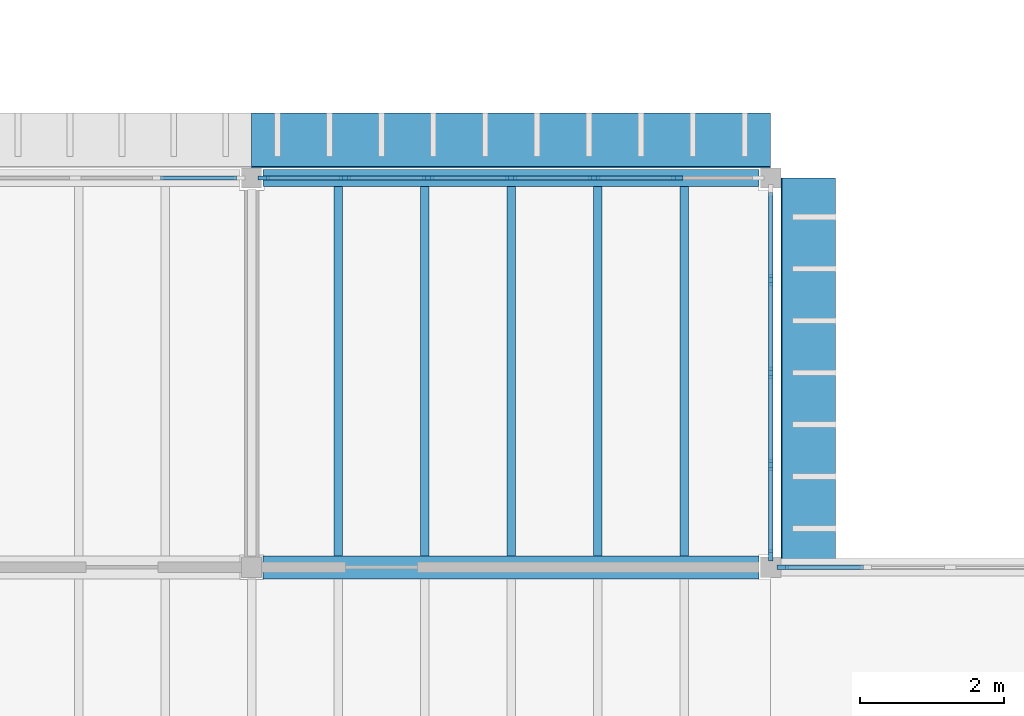
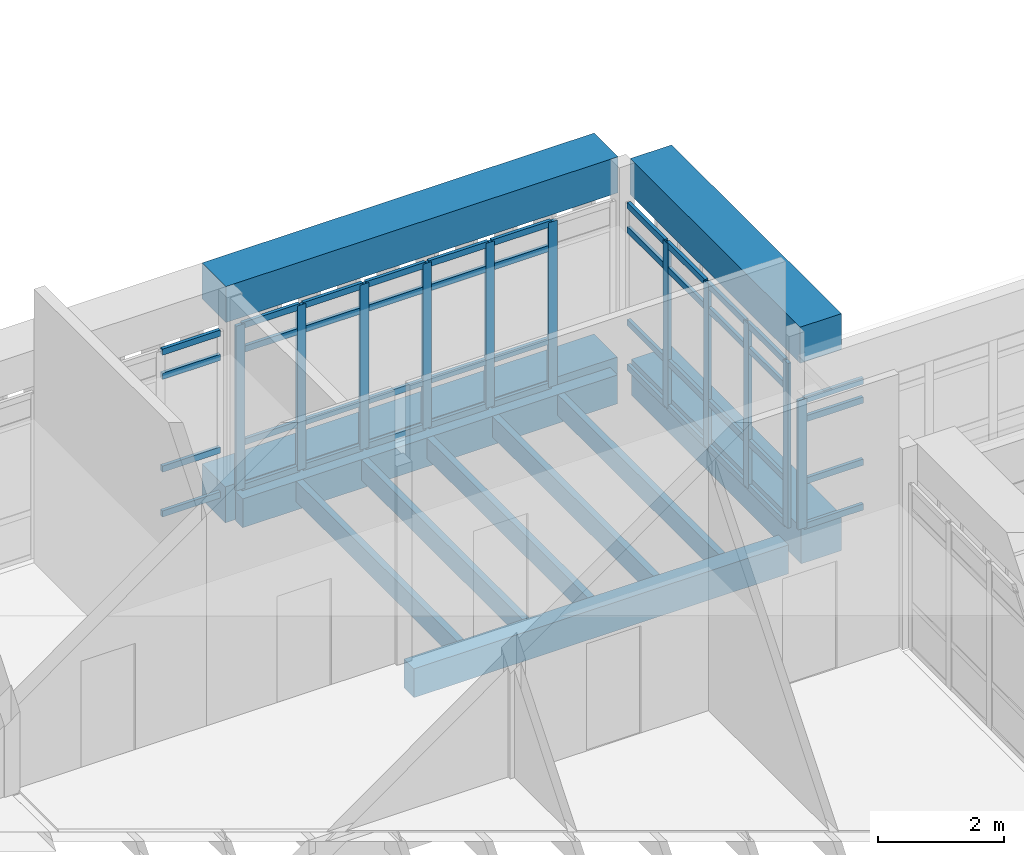
# One storey, part 9 of 51: 59 members, 7 beams, 4 elements without a shape of their own.
"""IFC4 building model written with IfcOpenShell, lengths in metres."""

from ifc_helpers import new_model, si_unit, direction, frame, origin, origin_2d, place, context, subcontext, project, spatial, rectangle, extrude, material, layer, layer_set, material_profile, profile_set, type_object, element, aggregate, save


model = new_model("IFC4")

# Units and contexts
model_context = context("Model", 3, precision=1e-05, world=origin(), true_north=direction((0.0, 1.0)))
body_context = subcontext(model_context, "Body", "Model", "MODEL_VIEW")
ifc_project = project(units=[si_unit("LENGTHUNIT", "METRE"), si_unit("AREAUNIT", "SQUARE_METRE"), si_unit("VOLUMEUNIT", "CUBIC_METRE"), si_unit("PLANEANGLEUNIT", "RADIAN"), si_unit("MASSUNIT", "GRAM", prefix="KILO")], contexts=[model_context])

# Site, building, storey
site_placement = place(None, origin())
site = spatial("IfcSite", under=ifc_project, at=site_placement, CompositionType="ELEMENT")
building_placement = place(site_placement, origin())
building = spatial("IfcBuilding", under=site, at=building_placement, Name="Mazhai Court Health Centre", CompositionType="ELEMENT")
storey_placement = place(building_placement, frame((0.0, 0.0, 14.10009765625)))
storey = spatial("IfcBuildingStorey", under=building, at=storey_placement, Name="L03", CompositionType="ELEMENT", Elevation=14.10009765625)

# Curtain wall, members
ifc_material_1 = material(Name="Teak timber frame, glazed", Category="wood")
ifc_layer = layer(ifc_material_1, 0.10009765625)
ifc_layer_set = layer_set([ifc_layer], Name="CURTAIN WALL TIMBER 1200")
curtain_wall_type = type_object("IfcCurtainWallType", Name="CURTAIN WALL TIMBER 1200", PredefinedType="NOTDEFINED", material=ifc_layer_set)
curtain_wall_1_placement = place(storey_placement, origin())
curtain_wall_1 = element("IfcCurtainWall", 1, at=curtain_wall_1_placement, inside=storey, type_object=curtain_wall_type, Name="CW-V4-L03-B2", PredefinedType="NOTDEFINED")
ifc_material_2 = material(Name="Teak timber", Category="wood")
ifc_material_profile_1 = material_profile(ifc_material_2, rectangle(XDim=0.06005859375, YDim=0.159912109375, at=origin_2d()), Name="CW MULLION 60x160")
ifc_profile_set_1 = profile_set([ifc_material_profile_1], Name="Teak timber")
member_type_1 = type_object("IfcMemberType", Name="CW MULLION 60x160", PredefinedType="MULLION", material=ifc_profile_set_1)
member_1_placement = place(storey_placement, frame((85.570068359375, 27.800048828125, 0.0), z_axis=(0.0, 0.0, 1.0), x_axis=(0.0, 1.0, 0.0)))
member_1 = element("IfcMember", 2, at=member_1_placement, type_object=member_type_1, Name="CW mullion 1", PredefinedType="MULLION", context=body_context, shape_type="SweptSolid", body=[
    extrude(rectangle(XDim=0.06005859375, YDim=0.159912109375, at=origin_2d()), origin(), (0.0, 0.0, 1.0), 3.199951171875),
])
member_2_placement = place(storey_placement, frame((86.693359375, 27.800048828125, 0.0), z_axis=(0.0, 0.0, 1.0), x_axis=(0.0, 1.0, 0.0)))
member_2 = element("IfcMember", 3, at=member_2_placement, type_object=member_type_1, Name="CW mullion 2", PredefinedType="MULLION", context=body_context, shape_type="SweptSolid", body=[
    extrude(rectangle(XDim=0.06005859375, YDim=0.159912109375, at=origin_2d()), origin(), (0.0, 0.0, 1.0), 3.199951171875),
])
member_3_placement = place(storey_placement, frame((87.8466796875, 27.800048828125, 0.0), z_axis=(0.0, 0.0, 1.0), x_axis=(0.0, 1.0, 0.0)))
member_3 = element("IfcMember", 4, at=member_3_placement, type_object=member_type_1, Name="CW mullion 3", PredefinedType="MULLION", context=body_context, shape_type="SweptSolid", body=[
    extrude(rectangle(XDim=0.06005859375, YDim=0.159912109375, at=origin_2d()), origin(), (0.0, 0.0, 1.0), 3.199951171875),
])
member_4_placement = place(storey_placement, frame((89.0, 27.800048828125, 0.0), z_axis=(0.0, 0.0, 1.0), x_axis=(0.0, 1.0, 0.0)))
member_4 = element("IfcMember", 5, at=member_4_placement, type_object=member_type_1, Name="CW mullion 4", PredefinedType="MULLION", context=body_context, shape_type="SweptSolid", body=[
    extrude(rectangle(XDim=0.06005859375, YDim=0.159912109375, at=origin_2d()), origin(), (0.0, 0.0, 1.0), 3.199951171875),
])
member_5_placement = place(storey_placement, frame((90.1533203125, 27.800048828125, 0.0), z_axis=(0.0, 0.0, 1.0), x_axis=(0.0, 1.0, 0.0)))
member_5 = element("IfcMember", 6, at=member_5_placement, type_object=member_type_1, Name="CW mullion 5", PredefinedType="MULLION", context=body_context, shape_type="SweptSolid", body=[
    extrude(rectangle(XDim=0.06005859375, YDim=0.159912109375, at=origin_2d()), origin(), (0.0, 0.0, 1.0), 3.199951171875),
])
member_6_placement = place(storey_placement, frame((91.306640625, 27.800048828125, 0.0), z_axis=(0.0, 0.0, 1.0), x_axis=(0.0, 1.0, 0.0)))
member_6 = element("IfcMember", 7, at=member_6_placement, type_object=member_type_1, Name="CW mullion 6", PredefinedType="MULLION", context=body_context, shape_type="SweptSolid", body=[
    extrude(rectangle(XDim=0.06005859375, YDim=0.159912109375, at=origin_2d()), origin(), (0.0, 0.0, 1.0), 3.199951171875),
])

curtain_wall_2_placement = place(storey_placement, origin())
curtain_wall_2 = element("IfcCurtainWall", 8, at=curtain_wall_2_placement, inside=storey, type_object=curtain_wall_type, Name="CW-V4-L03-CE2-1", PredefinedType="NOTDEFINED")
member_7_placement = place(storey_placement, frame((92.60009765625, 26.3798828125, 0.0), z_axis=(0.0, 0.0, 1.0), x_axis=(1.0, 0.0, 0.0)))
member_7 = element("IfcMember", 9, at=member_7_placement, type_object=member_type_1, Name="CW mullion 2", PredefinedType="MULLION", context=body_context, shape_type="SweptSolid", body=[
    extrude(rectangle(XDim=0.06005859375, YDim=0.159912109375, at=origin_2d()), origin(), (0.0, 0.0, 1.0), 3.199951171875),
])
member_8_placement = place(storey_placement, frame((92.60009765625, 25.10009765625, 0.0), z_axis=(0.0, 0.0, 1.0), x_axis=(1.0, 0.0, 0.0)))
member_8 = element("IfcMember", 10, at=member_8_placement, type_object=member_type_1, Name="CW mullion 3", PredefinedType="MULLION", context=body_context, shape_type="SweptSolid", body=[
    extrude(rectangle(XDim=0.06005859375, YDim=0.159912109375, at=origin_2d()), origin(), (0.0, 0.0, 1.0), 3.199951171875),
])
member_9_placement = place(storey_placement, frame((92.60009765625, 23.820068359375, 0.0), z_axis=(0.0, 0.0, 1.0), x_axis=(1.0, 0.0, 0.0)))
member_9 = element("IfcMember", 11, at=member_9_placement, type_object=member_type_1, Name="CW mullion 4", PredefinedType="MULLION", context=body_context, shape_type="SweptSolid", body=[
    extrude(rectangle(XDim=0.06005859375, YDim=0.159912109375, at=origin_2d()), origin(), (0.0, 0.0, 1.0), 3.199951171875),
])
member_10_placement = place(storey_placement, frame((92.60009765625, 22.570068359375, 0.0), z_axis=(0.0, 0.0, 1.0), x_axis=(1.0, 0.0, 0.0)))
member_10 = element("IfcMember", 12, at=member_10_placement, type_object=member_type_1, Name="CW mullion 5", PredefinedType="MULLION", context=body_context, shape_type="SweptSolid", body=[
    extrude(rectangle(XDim=0.06005859375, YDim=0.159912109375, at=origin_2d()), origin(), (0.0, 0.0, 1.0), 3.199951171875),
])

# Curtain wall, member
curtain_wall_3_placement = place(storey_placement, origin())
curtain_wall_3 = element("IfcCurtainWall", 13, at=curtain_wall_3_placement, inside=storey, type_object=curtain_wall_type, Name="CW-BR-LC3-N", PredefinedType="NOTDEFINED")
member_11_placement = place(storey_placement, frame((92.77001953125, 22.39990234375, 0.0), z_axis=(0.0, 0.0, 1.0), x_axis=(0.0, 1.0, 0.0)))
member_11 = element("IfcMember", 14, at=member_11_placement, type_object=member_type_1, Name="CW mullion 1", PredefinedType="MULLION", context=body_context, shape_type="SweptSolid", body=[
    extrude(rectangle(XDim=0.06005859375, YDim=0.159912109375, at=origin_2d()), origin(), (0.0, 0.0, 1.0), 2.5048828125),
])

# Curtain wall, members
curtain_wall_4_placement = place(storey_placement, origin())
curtain_wall_4 = element("IfcCurtainWall", 15, at=curtain_wall_4_placement, inside=storey, type_object=curtain_wall_type, Name="CW-V4-L03-B1", PredefinedType="NOTDEFINED")
ifc_material_3 = material(Name="Teak timber", Category="wood")
ifc_material_profile_2 = material_profile(ifc_material_3, rectangle(XDim=0.06005859375, YDim=0.1201171875, at=origin_2d()), Name="CW TRANSOM 60x120")
ifc_profile_set_2 = profile_set([ifc_material_profile_2], Name="Teak timber")
member_type_2 = type_object("IfcMemberType", Name="CW TRANSOM 60x120", PredefinedType="USERDEFINED", material=ifc_profile_set_2)
member_12_placement = place(storey_placement, frame((84.13671875, 27.800048828125, 0.02978515625), z_axis=(1.0, 0.0, 0.0), x_axis=(0.0, 1.0, 0.0)))
member_12 = element("IfcMember", 16, at=member_12_placement, type_object=member_type_2, Name="CW transom 6.1", ObjectType="TRANSOM", PredefinedType="USERDEFINED", context=body_context, shape_type="SweptSolid", body=[
    extrude(rectangle(XDim=0.06005859375, YDim=0.1201171875, at=origin_2d()), origin(), (0.0, 0.0, 1.0), 1.063232421875),
])
member_13_placement = place(storey_placement, frame((84.13671875, 27.800048828125, 0.89990234375), z_axis=(1.0, 0.0, 0.0), x_axis=(0.0, 1.0, 0.0)))
member_13 = element("IfcMember", 17, at=member_13_placement, type_object=member_type_2, Name="CW transom 6.2", ObjectType="TRANSOM", PredefinedType="USERDEFINED", context=body_context, shape_type="SweptSolid", body=[
    extrude(rectangle(XDim=0.06005859375, YDim=0.1201171875, at=origin_2d()), origin(), (0.0, 0.0, 1.0), 1.063232421875),
])
member_14_placement = place(storey_placement, frame((84.13671875, 27.800048828125, 2.699951171875), z_axis=(1.0, 0.0, 0.0), x_axis=(0.0, 1.0, 0.0)))
member_14 = element("IfcMember", 18, at=member_14_placement, type_object=member_type_2, Name="CW transom 6.3", ObjectType="TRANSOM", PredefinedType="USERDEFINED", context=body_context, shape_type="SweptSolid", body=[
    extrude(rectangle(XDim=0.06005859375, YDim=0.1201171875, at=origin_2d()), origin(), (0.0, 0.0, 1.0), 1.063232421875),
])
member_15_placement = place(storey_placement, frame((84.13671875, 27.800048828125, 3.169921875), z_axis=(1.0, 0.0, 0.0), x_axis=(0.0, 1.0, 0.0)))
member_15 = element("IfcMember", 19, at=member_15_placement, type_object=member_type_2, Name="CW transom 6.4", ObjectType="TRANSOM", PredefinedType="USERDEFINED", context=body_context, shape_type="SweptSolid", body=[
    extrude(rectangle(XDim=0.06005859375, YDim=0.1201171875, at=origin_2d()), origin(), (0.0, 0.0, 1.0), 1.063232421875),
])
aggregate(curtain_wall_4, [member_12, member_13, member_14, member_15])

# Member
member_16_placement = place(storey_placement, frame((85.60009765625, 27.800048828125, 0.02978515625), z_axis=(1.0, 0.0, 0.0), x_axis=(0.0, 1.0, 0.0)))
member_16 = element("IfcMember", 20, at=member_16_placement, type_object=member_type_2, Name="CW transom 1.1", ObjectType="TRANSOM", PredefinedType="USERDEFINED", context=body_context, shape_type="SweptSolid", body=[
    extrude(rectangle(XDim=0.06005859375, YDim=0.1201171875, at=origin_2d()), origin(), (0.0, 0.0, 1.0), 1.063232421875),
])

member_17_placement = place(storey_placement, frame((85.60009765625, 27.800048828125, 0.89990234375), z_axis=(1.0, 0.0, 0.0), x_axis=(0.0, 1.0, 0.0)))
member_17 = element("IfcMember", 21, at=member_17_placement, type_object=member_type_2, Name="CW transom 1.2", ObjectType="TRANSOM", PredefinedType="USERDEFINED", context=body_context, shape_type="SweptSolid", body=[
    extrude(rectangle(XDim=0.06005859375, YDim=0.1201171875, at=origin_2d()), origin(), (0.0, 0.0, 1.0), 1.063232421875),
])

member_18_placement = place(storey_placement, frame((85.60009765625, 27.800048828125, 2.699951171875), z_axis=(1.0, 0.0, 0.0), x_axis=(0.0, 1.0, 0.0)))
member_18 = element("IfcMember", 22, at=member_18_placement, type_object=member_type_2, Name="CW transom 1.3", ObjectType="TRANSOM", PredefinedType="USERDEFINED", context=body_context, shape_type="SweptSolid", body=[
    extrude(rectangle(XDim=0.06005859375, YDim=0.1201171875, at=origin_2d()), origin(), (0.0, 0.0, 1.0), 1.063232421875),
])

member_19_placement = place(storey_placement, frame((85.60009765625, 27.800048828125, 3.169921875), z_axis=(1.0, 0.0, 0.0), x_axis=(0.0, 1.0, 0.0)))
member_19 = element("IfcMember", 23, at=member_19_placement, type_object=member_type_2, Name="CW transom 1.4", ObjectType="TRANSOM", PredefinedType="USERDEFINED", context=body_context, shape_type="SweptSolid", body=[
    extrude(rectangle(XDim=0.06005859375, YDim=0.1201171875, at=origin_2d()), origin(), (0.0, 0.0, 1.0), 1.063232421875),
])

member_20_placement = place(storey_placement, frame((86.723388671875, 27.800048828125, 0.02978515625), z_axis=(1.0, 0.0, 0.0), x_axis=(0.0, 1.0, 0.0)))
member_20 = element("IfcMember", 24, at=member_20_placement, type_object=member_type_2, Name="CW transom 2.1", ObjectType="TRANSOM", PredefinedType="USERDEFINED", context=body_context, shape_type="SweptSolid", body=[
    extrude(rectangle(XDim=0.06005859375, YDim=0.1201171875, at=origin_2d()), origin(), (0.0, 0.0, 1.0), 1.09326171875),
])

member_21_placement = place(storey_placement, frame((86.723388671875, 27.800048828125, 0.89990234375), z_axis=(1.0, 0.0, 0.0), x_axis=(0.0, 1.0, 0.0)))
member_21 = element("IfcMember", 25, at=member_21_placement, type_object=member_type_2, Name="CW transom 2.2", ObjectType="TRANSOM", PredefinedType="USERDEFINED", context=body_context, shape_type="SweptSolid", body=[
    extrude(rectangle(XDim=0.06005859375, YDim=0.1201171875, at=origin_2d()), origin(), (0.0, 0.0, 1.0), 1.09326171875),
])

member_22_placement = place(storey_placement, frame((86.723388671875, 27.800048828125, 2.699951171875), z_axis=(1.0, 0.0, 0.0), x_axis=(0.0, 1.0, 0.0)))
member_22 = element("IfcMember", 26, at=member_22_placement, type_object=member_type_2, Name="CW transom 2.3", ObjectType="TRANSOM", PredefinedType="USERDEFINED", context=body_context, shape_type="SweptSolid", body=[
    extrude(rectangle(XDim=0.06005859375, YDim=0.1201171875, at=origin_2d()), origin(), (0.0, 0.0, 1.0), 1.09326171875),
])

member_23_placement = place(storey_placement, frame((86.723388671875, 27.800048828125, 3.169921875), z_axis=(1.0, 0.0, 0.0), x_axis=(0.0, 1.0, 0.0)))
member_23 = element("IfcMember", 27, at=member_23_placement, type_object=member_type_2, Name="CW transom 2.4", ObjectType="TRANSOM", PredefinedType="USERDEFINED", context=body_context, shape_type="SweptSolid", body=[
    extrude(rectangle(XDim=0.06005859375, YDim=0.1201171875, at=origin_2d()), origin(), (0.0, 0.0, 1.0), 1.09326171875),
])

member_24_placement = place(storey_placement, frame((87.876708984375, 27.800048828125, 0.02978515625), z_axis=(1.0, 0.0, 0.0), x_axis=(0.0, 1.0, 0.0)))
member_24 = element("IfcMember", 28, at=member_24_placement, type_object=member_type_2, Name="CW transom 3.1", ObjectType="TRANSOM", PredefinedType="USERDEFINED", context=body_context, shape_type="SweptSolid", body=[
    extrude(rectangle(XDim=0.06005859375, YDim=0.1201171875, at=origin_2d()), origin(), (0.0, 0.0, 1.0), 1.09326171875),
])

member_25_placement = place(storey_placement, frame((87.876708984375, 27.800048828125, 0.89990234375), z_axis=(1.0, 0.0, 0.0), x_axis=(0.0, 1.0, 0.0)))
member_25 = element("IfcMember", 29, at=member_25_placement, type_object=member_type_2, Name="CW transom 3.2", ObjectType="TRANSOM", PredefinedType="USERDEFINED", context=body_context, shape_type="SweptSolid", body=[
    extrude(rectangle(XDim=0.06005859375, YDim=0.1201171875, at=origin_2d()), origin(), (0.0, 0.0, 1.0), 1.09326171875),
])

member_26_placement = place(storey_placement, frame((87.876708984375, 27.800048828125, 2.699951171875), z_axis=(1.0, 0.0, 0.0), x_axis=(0.0, 1.0, 0.0)))
member_26 = element("IfcMember", 30, at=member_26_placement, type_object=member_type_2, Name="CW transom 3.3", ObjectType="TRANSOM", PredefinedType="USERDEFINED", context=body_context, shape_type="SweptSolid", body=[
    extrude(rectangle(XDim=0.06005859375, YDim=0.1201171875, at=origin_2d()), origin(), (0.0, 0.0, 1.0), 1.09326171875),
])

member_27_placement = place(storey_placement, frame((87.876708984375, 27.800048828125, 3.169921875), z_axis=(1.0, 0.0, 0.0), x_axis=(0.0, 1.0, 0.0)))
member_27 = element("IfcMember", 31, at=member_27_placement, type_object=member_type_2, Name="CW transom 3.4", ObjectType="TRANSOM", PredefinedType="USERDEFINED", context=body_context, shape_type="SweptSolid", body=[
    extrude(rectangle(XDim=0.06005859375, YDim=0.1201171875, at=origin_2d()), origin(), (0.0, 0.0, 1.0), 1.09326171875),
])

member_28_placement = place(storey_placement, frame((89.030029296875, 27.800048828125, 0.02978515625), z_axis=(1.0, 0.0, 0.0), x_axis=(0.0, 1.0, 0.0)))
member_28 = element("IfcMember", 32, at=member_28_placement, type_object=member_type_2, Name="CW transom 4.1", ObjectType="TRANSOM", PredefinedType="USERDEFINED", context=body_context, shape_type="SweptSolid", body=[
    extrude(rectangle(XDim=0.06005859375, YDim=0.1201171875, at=origin_2d()), origin(), (0.0, 0.0, 1.0), 1.09326171875),
])

member_29_placement = place(storey_placement, frame((89.030029296875, 27.800048828125, 0.89990234375), z_axis=(1.0, 0.0, 0.0), x_axis=(0.0, 1.0, 0.0)))
member_29 = element("IfcMember", 33, at=member_29_placement, type_object=member_type_2, Name="CW transom 4.2", ObjectType="TRANSOM", PredefinedType="USERDEFINED", context=body_context, shape_type="SweptSolid", body=[
    extrude(rectangle(XDim=0.06005859375, YDim=0.1201171875, at=origin_2d()), origin(), (0.0, 0.0, 1.0), 1.09326171875),
])

member_30_placement = place(storey_placement, frame((89.030029296875, 27.800048828125, 2.699951171875), z_axis=(1.0, 0.0, 0.0), x_axis=(0.0, 1.0, 0.0)))
member_30 = element("IfcMember", 34, at=member_30_placement, type_object=member_type_2, Name="CW transom 4.3", ObjectType="TRANSOM", PredefinedType="USERDEFINED", context=body_context, shape_type="SweptSolid", body=[
    extrude(rectangle(XDim=0.06005859375, YDim=0.1201171875, at=origin_2d()), origin(), (0.0, 0.0, 1.0), 1.09326171875),
])

member_31_placement = place(storey_placement, frame((89.030029296875, 27.800048828125, 3.169921875), z_axis=(1.0, 0.0, 0.0), x_axis=(0.0, 1.0, 0.0)))
member_31 = element("IfcMember", 35, at=member_31_placement, type_object=member_type_2, Name="CW transom 4.4", ObjectType="TRANSOM", PredefinedType="USERDEFINED", context=body_context, shape_type="SweptSolid", body=[
    extrude(rectangle(XDim=0.06005859375, YDim=0.1201171875, at=origin_2d()), origin(), (0.0, 0.0, 1.0), 1.09326171875),
])

member_32_placement = place(storey_placement, frame((90.183349609375, 27.800048828125, 0.02978515625), z_axis=(1.0, 0.0, 0.0), x_axis=(0.0, 1.0, 0.0)))
member_32 = element("IfcMember", 36, at=member_32_placement, type_object=member_type_2, Name="CW transom 5.1", ObjectType="TRANSOM", PredefinedType="USERDEFINED", context=body_context, shape_type="SweptSolid", body=[
    extrude(rectangle(XDim=0.06005859375, YDim=0.1201171875, at=origin_2d()), origin(), (0.0, 0.0, 1.0), 1.09326171875),
])

member_33_placement = place(storey_placement, frame((90.183349609375, 27.800048828125, 0.89990234375), z_axis=(1.0, 0.0, 0.0), x_axis=(0.0, 1.0, 0.0)))
member_33 = element("IfcMember", 37, at=member_33_placement, type_object=member_type_2, Name="CW transom 5.2", ObjectType="TRANSOM", PredefinedType="USERDEFINED", context=body_context, shape_type="SweptSolid", body=[
    extrude(rectangle(XDim=0.06005859375, YDim=0.1201171875, at=origin_2d()), origin(), (0.0, 0.0, 1.0), 1.09326171875),
])

member_34_placement = place(storey_placement, frame((90.183349609375, 27.800048828125, 2.699951171875), z_axis=(1.0, 0.0, 0.0), x_axis=(0.0, 1.0, 0.0)))
member_34 = element("IfcMember", 38, at=member_34_placement, type_object=member_type_2, Name="CW transom 5.3", ObjectType="TRANSOM", PredefinedType="USERDEFINED", context=body_context, shape_type="SweptSolid", body=[
    extrude(rectangle(XDim=0.06005859375, YDim=0.1201171875, at=origin_2d()), origin(), (0.0, 0.0, 1.0), 1.09326171875),
])

member_35_placement = place(storey_placement, frame((90.183349609375, 27.800048828125, 3.169921875), z_axis=(1.0, 0.0, 0.0), x_axis=(0.0, 1.0, 0.0)))
member_35 = element("IfcMember", 39, at=member_35_placement, type_object=member_type_2, Name="CW transom 5.4", ObjectType="TRANSOM", PredefinedType="USERDEFINED", context=body_context, shape_type="SweptSolid", body=[
    extrude(rectangle(XDim=0.06005859375, YDim=0.1201171875, at=origin_2d()), origin(), (0.0, 0.0, 1.0), 1.09326171875),
])

aggregate(curtain_wall_1, [member_1, member_2, member_3, member_4, member_5, member_6, member_16, member_17, member_18, member_19, member_20, member_21, member_22, member_23, member_24, member_25, member_26, member_27, member_28, member_29, member_30, member_31, member_32, member_33, member_34, member_35])

member_36_placement = place(storey_placement, frame((92.60009765625, 27.60009765625, 0.02978515625), z_axis=(0.0, -1.0, 0.0), x_axis=(1.0, 0.0, 0.0)))
member_36 = element("IfcMember", 40, at=member_36_placement, type_object=member_type_2, Name="CW transom 1.1", ObjectType="TRANSOM", PredefinedType="USERDEFINED", context=body_context, shape_type="SweptSolid", body=[
    extrude(rectangle(XDim=0.06005859375, YDim=0.1201171875, at=origin_2d()), origin(), (0.0, 0.0, 1.0), 1.190185546875),
])

member_37_placement = place(storey_placement, frame((92.60009765625, 27.60009765625, 0.89990234375), z_axis=(0.0, -1.0, 0.0), x_axis=(1.0, 0.0, 0.0)))
member_37 = element("IfcMember", 41, at=member_37_placement, type_object=member_type_2, Name="CW transom 1.2", ObjectType="TRANSOM", PredefinedType="USERDEFINED", context=body_context, shape_type="SweptSolid", body=[
    extrude(rectangle(XDim=0.06005859375, YDim=0.1201171875, at=origin_2d()), origin(), (0.0, 0.0, 1.0), 1.190185546875),
])

member_38_placement = place(storey_placement, frame((92.60009765625, 27.60009765625, 2.699951171875), z_axis=(0.0, -1.0, 0.0), x_axis=(1.0, 0.0, 0.0)))
member_38 = element("IfcMember", 42, at=member_38_placement, type_object=member_type_2, Name="CW transom 1.3", ObjectType="TRANSOM", PredefinedType="USERDEFINED", context=body_context, shape_type="SweptSolid", body=[
    extrude(rectangle(XDim=0.06005859375, YDim=0.1201171875, at=origin_2d()), origin(), (0.0, 0.0, 1.0), 1.190185546875),
])

member_39_placement = place(storey_placement, frame((92.60009765625, 27.60009765625, 3.169921875), z_axis=(0.0, -1.0, 0.0), x_axis=(1.0, 0.0, 0.0)))
member_39 = element("IfcMember", 43, at=member_39_placement, type_object=member_type_2, Name="CW transom 1.4", ObjectType="TRANSOM", PredefinedType="USERDEFINED", context=body_context, shape_type="SweptSolid", body=[
    extrude(rectangle(XDim=0.06005859375, YDim=0.1201171875, at=origin_2d()), origin(), (0.0, 0.0, 1.0), 1.190185546875),
])

member_40_placement = place(storey_placement, frame((92.60009765625, 26.35009765625, 0.02978515625), z_axis=(0.0, -1.0, 0.0), x_axis=(1.0, 0.0, 0.0)))
member_40 = element("IfcMember", 44, at=member_40_placement, type_object=member_type_2, Name="CW transom 2.1", ObjectType="TRANSOM", PredefinedType="USERDEFINED", context=body_context, shape_type="SweptSolid", body=[
    extrude(rectangle(XDim=0.06005859375, YDim=0.1201171875, at=origin_2d()), origin(), (0.0, 0.0, 1.0), 1.22021484375),
])

member_41_placement = place(storey_placement, frame((92.60009765625, 26.35009765625, 0.89990234375), z_axis=(0.0, -1.0, 0.0), x_axis=(1.0, 0.0, 0.0)))
member_41 = element("IfcMember", 45, at=member_41_placement, type_object=member_type_2, Name="CW transom 2.2", ObjectType="TRANSOM", PredefinedType="USERDEFINED", context=body_context, shape_type="SweptSolid", body=[
    extrude(rectangle(XDim=0.06005859375, YDim=0.1201171875, at=origin_2d()), origin(), (0.0, 0.0, 1.0), 1.22021484375),
])

member_42_placement = place(storey_placement, frame((92.60009765625, 26.35009765625, 2.699951171875), z_axis=(0.0, -1.0, 0.0), x_axis=(1.0, 0.0, 0.0)))
member_42 = element("IfcMember", 46, at=member_42_placement, type_object=member_type_2, Name="CW transom 2.3", ObjectType="TRANSOM", PredefinedType="USERDEFINED", context=body_context, shape_type="SweptSolid", body=[
    extrude(rectangle(XDim=0.06005859375, YDim=0.1201171875, at=origin_2d()), origin(), (0.0, 0.0, 1.0), 1.22021484375),
])

member_43_placement = place(storey_placement, frame((92.60009765625, 26.35009765625, 3.169921875), z_axis=(0.0, -1.0, 0.0), x_axis=(1.0, 0.0, 0.0)))
member_43 = element("IfcMember", 47, at=member_43_placement, type_object=member_type_2, Name="CW transom 2.4", ObjectType="TRANSOM", PredefinedType="USERDEFINED", context=body_context, shape_type="SweptSolid", body=[
    extrude(rectangle(XDim=0.06005859375, YDim=0.1201171875, at=origin_2d()), origin(), (0.0, 0.0, 1.0), 1.22021484375),
])

member_44_placement = place(storey_placement, frame((92.60009765625, 25.070068359375, 0.02978515625), z_axis=(0.0, -1.0, 0.0), x_axis=(1.0, 0.0, 0.0)))
member_44 = element("IfcMember", 48, at=member_44_placement, type_object=member_type_2, Name="CW transom 3.1", ObjectType="TRANSOM", PredefinedType="USERDEFINED", context=body_context, shape_type="SweptSolid", body=[
    extrude(rectangle(XDim=0.06005859375, YDim=0.1201171875, at=origin_2d()), origin(), (0.0, 0.0, 1.0), 1.219970703125),
])

member_45_placement = place(storey_placement, frame((92.60009765625, 25.070068359375, 0.89990234375), z_axis=(0.0, -1.0, 0.0), x_axis=(1.0, 0.0, 0.0)))
member_45 = element("IfcMember", 49, at=member_45_placement, type_object=member_type_2, Name="CW transom 3.2", ObjectType="TRANSOM", PredefinedType="USERDEFINED", context=body_context, shape_type="SweptSolid", body=[
    extrude(rectangle(XDim=0.06005859375, YDim=0.1201171875, at=origin_2d()), origin(), (0.0, 0.0, 1.0), 1.219970703125),
])

member_46_placement = place(storey_placement, frame((92.60009765625, 25.070068359375, 2.699951171875), z_axis=(0.0, -1.0, 0.0), x_axis=(1.0, 0.0, 0.0)))
member_46 = element("IfcMember", 50, at=member_46_placement, type_object=member_type_2, Name="CW transom 3.3", ObjectType="TRANSOM", PredefinedType="USERDEFINED", context=body_context, shape_type="SweptSolid", body=[
    extrude(rectangle(XDim=0.06005859375, YDim=0.1201171875, at=origin_2d()), origin(), (0.0, 0.0, 1.0), 1.219970703125),
])

member_47_placement = place(storey_placement, frame((92.60009765625, 25.070068359375, 3.169921875), z_axis=(0.0, -1.0, 0.0), x_axis=(1.0, 0.0, 0.0)))
member_47 = element("IfcMember", 51, at=member_47_placement, type_object=member_type_2, Name="CW transom 3.4", ObjectType="TRANSOM", PredefinedType="USERDEFINED", context=body_context, shape_type="SweptSolid", body=[
    extrude(rectangle(XDim=0.06005859375, YDim=0.1201171875, at=origin_2d()), origin(), (0.0, 0.0, 1.0), 1.219970703125),
])

member_48_placement = place(storey_placement, frame((92.60009765625, 23.7900390625, 0.02978515625), z_axis=(0.0, -1.0, 0.0), x_axis=(1.0, 0.0, 0.0)))
member_48 = element("IfcMember", 52, at=member_48_placement, type_object=member_type_2, Name="CW transom 4.1", ObjectType="TRANSOM", PredefinedType="USERDEFINED", context=body_context, shape_type="SweptSolid", body=[
    extrude(rectangle(XDim=0.06005859375, YDim=0.1201171875, at=origin_2d()), origin(), (0.0, 0.0, 1.0), 1.18994140625),
])

member_49_placement = place(storey_placement, frame((92.60009765625, 23.7900390625, 0.89990234375), z_axis=(0.0, -1.0, 0.0), x_axis=(1.0, 0.0, 0.0)))
member_49 = element("IfcMember", 53, at=member_49_placement, type_object=member_type_2, Name="CW transom 4.2", ObjectType="TRANSOM", PredefinedType="USERDEFINED", context=body_context, shape_type="SweptSolid", body=[
    extrude(rectangle(XDim=0.06005859375, YDim=0.1201171875, at=origin_2d()), origin(), (0.0, 0.0, 1.0), 1.18994140625),
])

member_50_placement = place(storey_placement, frame((92.60009765625, 23.7900390625, 2.699951171875), z_axis=(0.0, -1.0, 0.0), x_axis=(1.0, 0.0, 0.0)))
member_50 = element("IfcMember", 54, at=member_50_placement, type_object=member_type_2, Name="CW transom 4.3", ObjectType="TRANSOM", PredefinedType="USERDEFINED", context=body_context, shape_type="SweptSolid", body=[
    extrude(rectangle(XDim=0.06005859375, YDim=0.1201171875, at=origin_2d()), origin(), (0.0, 0.0, 1.0), 1.18994140625),
])

member_51_placement = place(storey_placement, frame((92.60009765625, 23.7900390625, 3.169921875), z_axis=(0.0, -1.0, 0.0), x_axis=(1.0, 0.0, 0.0)))
member_51 = element("IfcMember", 55, at=member_51_placement, type_object=member_type_2, Name="CW transom 4.4", ObjectType="TRANSOM", PredefinedType="USERDEFINED", context=body_context, shape_type="SweptSolid", body=[
    extrude(rectangle(XDim=0.06005859375, YDim=0.1201171875, at=origin_2d()), origin(), (0.0, 0.0, 1.0), 1.18994140625),
])

aggregate(curtain_wall_2, [member_7, member_8, member_9, member_10, member_36, member_37, member_38, member_39, member_40, member_41, member_42, member_43, member_44, member_45, member_46, member_47, member_48, member_49, member_50, member_51])

member_52_placement = place(storey_placement, frame((92.800048828125, 22.39990234375, 0.02978515625), z_axis=(1.0, 0.0, 0.0), x_axis=(0.0, 1.0, 0.0)))
member_52 = element("IfcMember", 56, at=member_52_placement, type_object=member_type_2, Name="CW transom 1.1", ObjectType="TRANSOM", PredefinedType="USERDEFINED", context=body_context, shape_type="SweptSolid", body=[
    extrude(rectangle(XDim=0.06005859375, YDim=0.1201171875, at=origin_2d()), origin(), (0.0, 0.0, 1.0), 1.086669921875),
])

member_53_placement = place(storey_placement, frame((92.800048828125, 22.39990234375, 0.89990234375), z_axis=(1.0, 0.0, 0.0), x_axis=(0.0, 1.0, 0.0)))
member_53 = element("IfcMember", 57, at=member_53_placement, type_object=member_type_2, Name="CW transom 1.2", ObjectType="TRANSOM", PredefinedType="USERDEFINED", context=body_context, shape_type="SweptSolid", body=[
    extrude(rectangle(XDim=0.06005859375, YDim=0.1201171875, at=origin_2d()), origin(), (0.0, 0.0, 1.0), 1.086669921875),
])

member_54_placement = place(storey_placement, frame((92.800048828125, 22.39990234375, 2.10498046875), z_axis=(1.0, 0.0, 0.0), x_axis=(0.0, 1.0, 0.0)))
member_54 = element("IfcMember", 58, at=member_54_placement, type_object=member_type_2, Name="CW transom 1.3", ObjectType="TRANSOM", PredefinedType="USERDEFINED", context=body_context, shape_type="SweptSolid", body=[
    extrude(rectangle(XDim=0.06005859375, YDim=0.1201171875, at=origin_2d()), origin(), (0.0, 0.0, 1.0), 1.086669921875),
])

member_55_placement = place(storey_placement, frame((92.800048828125, 22.39990234375, 2.474853515625), z_axis=(1.0, 0.0, 0.0), x_axis=(0.0, 1.0, 0.0)))
member_55 = element("IfcMember", 59, at=member_55_placement, type_object=member_type_2, Name="CW transom 1.4", ObjectType="TRANSOM", PredefinedType="USERDEFINED", context=body_context, shape_type="SweptSolid", body=[
    extrude(rectangle(XDim=0.06005859375, YDim=0.1201171875, at=origin_2d()), origin(), (0.0, 0.0, 1.0), 1.086669921875),
])

aggregate(curtain_wall_3, [member_11, member_52, member_53, member_54, member_55])

# Members
ifc_material_4 = material(Name="Glulam GL24h", Category="wood")
ifc_material_profile_3 = material_profile(ifc_material_4, rectangle(XDim=0.739990234375, YDim=0.699951171875, at=origin_2d()), Name="FIN RAIL 740x700")
ifc_profile_set_3 = profile_set([ifc_material_profile_3], Name="Glulam GL24h")
member_type_3 = type_object("IfcMemberType", Name="FIN RAIL 740x700", PredefinedType="USERDEFINED", material=ifc_profile_set_3)
member_56_placement = place(storey_placement, frame((85.39990234375, 28.330078125, -0.35009765625), z_axis=(1.0, 0.0, 0.0), x_axis=(0.0, 1.0, 0.0)))
element("IfcMember", 60, at=member_56_placement, inside=storey, type_object=member_type_3, Name="FR-V4-B2-L03", ObjectType="FIN RAIL", PredefinedType="USERDEFINED", context=body_context, shape_type="SweptSolid", body=[
    extrude(rectangle(XDim=0.739990234375, YDim=0.699951171875, at=origin_2d()), origin(), (0.0, 0.0, 1.0), 7.2001953125),
])
member_57_placement = place(storey_placement, frame((93.1298828125, 27.800048828125, -0.35009765625), z_axis=(0.0, -1.0, 0.0), x_axis=(1.0, 0.0, 0.0)))
element("IfcMember", 61, at=member_57_placement, inside=storey, type_object=member_type_3, Name="FR-V4-CE2-1-L03", ObjectType="FIN RAIL", PredefinedType="USERDEFINED", context=body_context, shape_type="SweptSolid", body=[
    extrude(rectangle(XDim=0.739990234375, YDim=0.699951171875, at=origin_2d()), origin(), (0.0, 0.0, 1.0), 5.400146484375),
])
ifc_material_5 = material(Name="Glulam GL24h", Category="wood")
ifc_material_profile_4 = material_profile(ifc_material_5, rectangle(XDim=0.760009765625, YDim=0.699951171875, at=origin_2d()), Name="FIN RAIL 760x700")
ifc_profile_set_4 = profile_set([ifc_material_profile_4], Name="Glulam GL24h")
member_type_4 = type_object("IfcMemberType", Name="FIN RAIL 760x700", PredefinedType="USERDEFINED", material=ifc_profile_set_4)
member_58_placement = place(storey_placement, frame((85.39990234375, 28.320068359375, 3.5498046875), z_axis=(1.0, 0.0, 0.0), x_axis=(0.0, 1.0, 0.0)))
element("IfcMember", 62, at=member_58_placement, inside=storey, type_object=member_type_4, Name="FR-V4-B2-RF", ObjectType="FIN RAIL", PredefinedType="USERDEFINED", context=body_context, shape_type="SweptSolid", body=[
    extrude(rectangle(XDim=0.760009765625, YDim=0.699951171875, at=origin_2d()), origin(), (0.0, 0.0, 1.0), 7.2001953125),
])
member_59_placement = place(storey_placement, frame((93.1201171875, 27.800048828125, 3.5498046875), z_axis=(0.0, -1.0, 0.0), x_axis=(1.0, 0.0, 0.0)))
element("IfcMember", 63, at=member_59_placement, inside=storey, type_object=member_type_4, Name="FR-V4-CE2-1-RF", ObjectType="FIN RAIL", PredefinedType="USERDEFINED", context=body_context, shape_type="SweptSolid", body=[
    extrude(rectangle(XDim=0.760009765625, YDim=0.699951171875, at=origin_2d()), origin(), (0.0, 0.0, 1.0), 5.400146484375),
])

# Beams
ifc_material_6 = material(Name="Glulam GL24h", Category="wood")
ifc_material_profile_5 = material_profile(ifc_material_6, rectangle(XDim=0.1201171875, YDim=0.39990234375, at=origin_2d()), Name="GL24h 120x400")
ifc_profile_set_5 = profile_set([ifc_material_profile_5], Name="Glulam GL24h")
beam_type_1 = type_object("IfcBeamType", Name="GL24h 120x400 joist", PredefinedType="JOIST", material=ifc_profile_set_5)
for number, where, z_axis, x_axis, name in (
    (64, (86.60009765625, 22.56005859375, -0.320068359375), (0.0, 1.0, 0.0), (-1.0, 0.0, 0.0), "joist-V4-L03-2-C1"),
    (65, (87.800048828125, 22.56005859375, -0.320068359375), (0.0, 1.0, 0.0), (-1.0, 0.0, 0.0), "joist-V4-L03-2-C2"),
    (66, (89.0, 22.56005859375, -0.320068359375), (0.0, 1.0, 0.0), (-1.0, 0.0, 0.0), "joist-V4-L03-2-C3"),
    (67, (90.199951171875, 22.56005859375, -0.320068359375), (0.0, 1.0, 0.0), (-1.0, 0.0, 0.0), "joist-V4-L03-2-C4"),
    (68, (91.39990234375, 22.56005859375, -0.320068359375), (0.0, 1.0, 0.0), (-1.0, 0.0, 0.0), "joist-V4-L03-2-C5"),
):
    element("IfcBeam", number, at=place(storey_placement, frame(where, z_axis=z_axis, x_axis=x_axis)), inside=storey, type_object=beam_type_1, Name=name, PredefinedType="JOIST", context=body_context, shape_type="SweptSolid", body=[
        extrude(rectangle(XDim=0.1201171875, YDim=0.39990234375, at=origin_2d()), origin(), (0.0, 0.0, 1.0), 5.119873046875),
    ])
ifc_material_7 = material(Name="Glulam GL28h", Category="wood")
ifc_material_profile_6 = material_profile(ifc_material_7, rectangle(XDim=0.239990234375, YDim=0.56005859375, at=origin_2d()), Name="GL28h 240x560")
ifc_profile_set_6 = profile_set([ifc_material_profile_6], Name="Glulam GL28h")
beam_type_2 = type_object("IfcBeamType", Name="GL28h 240x560 beam", PredefinedType="BEAM", material=ifc_profile_set_6)
beam_1_placement = place(storey_placement, frame((85.56005859375, 27.800048828125, -0.400146484375), z_axis=(1.0, 0.0, 0.0), x_axis=(0.0, 1.0, 0.0)))
element("IfcBeam", 69, at=beam_1_placement, inside=storey, type_object=beam_type_2, Name="beam-V4-L03-2-D", PredefinedType="BEAM", context=body_context, shape_type="SweptSolid", body=[
    extrude(rectangle(XDim=0.239990234375, YDim=0.56005859375, at=origin_2d()), origin(), (0.0, 0.0, 1.0), 6.8798828125),
])
ifc_material_8 = material(Name="Glulam GL28h", Category="wood")
ifc_material_profile_7 = material_profile(ifc_material_8, rectangle(XDim=0.320068359375, YDim=0.56005859375, at=origin_2d()), Name="GL28h 320x560")
ifc_profile_set_7 = profile_set([ifc_material_profile_7], Name="Glulam GL28h")
beam_type_3 = type_object("IfcBeamType", Name="GL28h 320x560 beam", PredefinedType="BEAM", material=ifc_profile_set_7)
beam_2_placement = place(storey_placement, frame((85.56005859375, 22.39990234375, -0.400146484375), z_axis=(1.0, 0.0, 0.0), x_axis=(0.0, 1.0, 0.0)))
element("IfcBeam", 70, at=beam_2_placement, inside=storey, type_object=beam_type_3, Name="beam-V4-L03-2-C", PredefinedType="BEAM", context=body_context, shape_type="SweptSolid", body=[
    extrude(rectangle(XDim=0.320068359375, YDim=0.56005859375, at=origin_2d()), origin(), (0.0, 0.0, 1.0), 6.8798828125),
])

save(model, "model.ifc")
